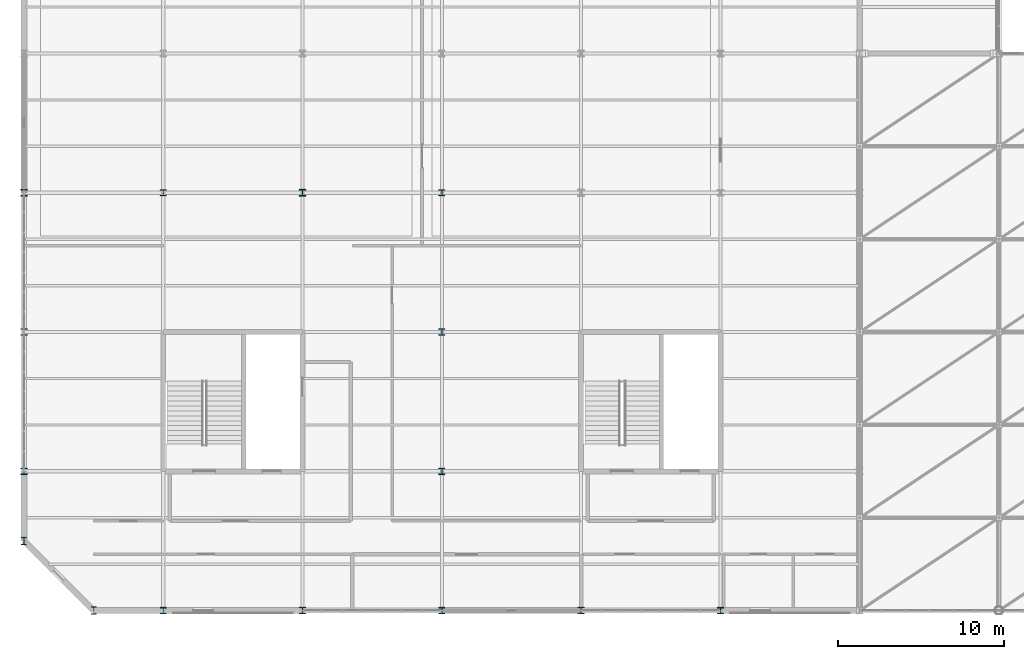
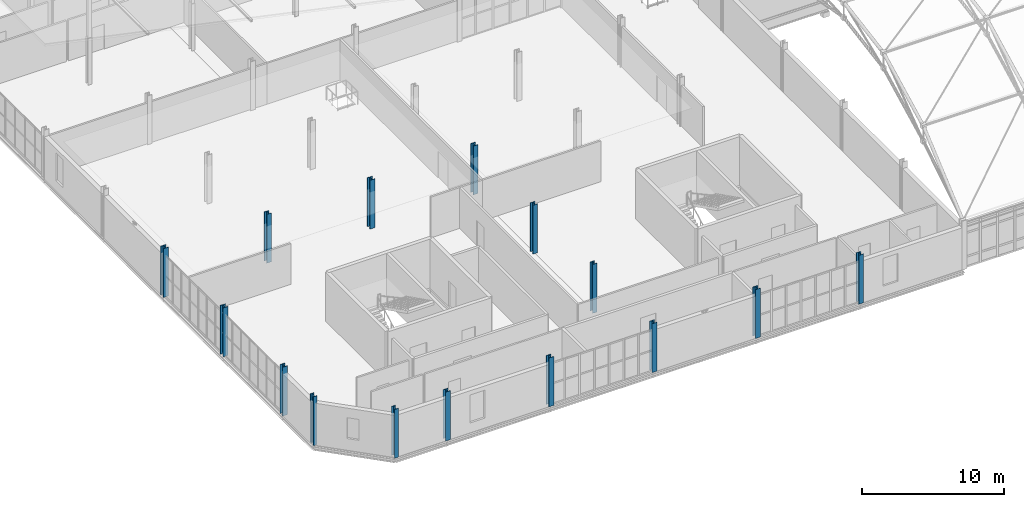
# One storey, part 1 of 184: 15 columns.
"""IFC4 building model written with IfcOpenShell, lengths in metres."""

from ifc_helpers import new_model, si_unit, direction, frame, origin, origin_2d, place, context, subcontext, project, spatial, i_section, extrude, material, material_profile, profile_set, type_object, element, save


model = new_model("IFC4")

# Units and contexts
model_context = context("Model", 3, precision=1e-05, world=origin(), true_north=direction((0.0, 1.0)))
body_context = subcontext(model_context, "Body", "Model", "MODEL_VIEW")
ifc_project = project(units=[si_unit("LENGTHUNIT", "METRE"), si_unit("AREAUNIT", "SQUARE_METRE"), si_unit("VOLUMEUNIT", "CUBIC_METRE"), si_unit("PLANEANGLEUNIT", "RADIAN"), si_unit("MASSUNIT", "GRAM", prefix="KILO")], contexts=[model_context])

# Site, building, storey
site_placement = place(None, origin())
site = spatial("IfcSite", under=ifc_project, at=site_placement, CompositionType="ELEMENT")
building_placement = place(site_placement, origin())
building = spatial("IfcBuilding", under=site, at=building_placement, Name="Qalvenar Corner Mobility Hub", CompositionType="ELEMENT")
storey_placement = place(building_placement, frame((0.0, 0.0, 9.0)))
storey = spatial("IfcBuildingStorey", under=building, at=storey_placement, Name="L02", CompositionType="ELEMENT", Elevation=9.0)

# Columns
ifc_material = material(Name="Steel S355", Category="steel")
ifc_material_profile_1 = material_profile(ifc_material, i_section(OverallWidth=0.376953125, OverallDepth=0.386962890625, WebThickness=0.0224609375, FlangeThickness=0.035888671875, FilletRadius=0.014892578125, at=origin_2d()), Name="HD360x262")
ifc_profile_set_1 = profile_set([ifc_material_profile_1], Name="Steel S355")
column_type_1 = type_object("IfcColumnType", Name="COL-HD360X262", PredefinedType="COLUMN", material=ifc_profile_set_1)
for number, where, z_axis, x_axis, name in (
    (1, (8.39990234375, 0.0, 0.0), (0.0, 0.0, 1.0), (1.0, 0.0, 0.0), "Steel Column L02-G2-0"),
    (2, (8.39990234375, 25.199951171875, 0.0), (0.0, 0.0, 1.0), (1.0, 0.0, 0.0), "Steel Column L02-G2-3"),
    (3, (25.199951171875, 0.0, 0.0), (0.0, 0.0, 1.0), (1.0, 0.0, 0.0), "Steel Column L02-G4-0"),
    (4, (25.199951171875, 8.39990234375, 0.0), (0.0, 0.0, 1.0), (1.0, 0.0, 0.0), "Steel Column L02-G4-1"),
    (5, (25.199951171875, 16.800048828125, 0.0), (0.0, 0.0, 1.0), (1.0, 0.0, 0.0), "Steel Column L02-G4-2"),
    (6, (25.199951171875, 25.199951171875, 0.0), (0.0, 0.0, 1.0), (1.0, 0.0, 0.0), "Steel Column L02-G4-3"),
    (7, (42.0, 0.0, 0.0), (0.0, 0.0, 1.0), (1.0, 0.0, 0.0), "Steel Column L02-G6-0"),
):
    element("IfcColumn", number, at=place(storey_placement, frame(where, z_axis=z_axis, x_axis=x_axis)), inside=storey, type_object=column_type_1, Name=name, PredefinedType="COLUMN", context=body_context, shape_type="SweptSolid", body=[
        extrude(i_section(OverallWidth=0.376953125, OverallDepth=0.386962890625, WebThickness=0.0224609375, FlangeThickness=0.035888671875, FilletRadius=0.014892578125, at=origin_2d()), origin(), (0.0, 0.0, 1.0), 4.199951171875),
    ])
ifc_material_profile_2 = material_profile(ifc_material, i_section(OverallWidth=0.40087890625, OverallDepth=0.39892578125, WebThickness=0.02490234375, FlangeThickness=0.03955078125, FilletRadius=0.014892578125, at=origin_2d()), Name="HD400x314")
ifc_profile_set_2 = profile_set([ifc_material_profile_2], Name="Steel S355")
column_type_2 = type_object("IfcColumnType", Name="COL-HD400X314", PredefinedType="COLUMN", material=ifc_profile_set_2)
for number, where, z_axis, x_axis, name in (
    (8, (0.0, 8.39990234375, 0.0), (0.0, 0.0, 1.0), (1.0, 0.0, 0.0), "Steel Column L02-G1-1"),
    (9, (0.0, 16.800048828125, 0.0), (0.0, 0.0, 1.0), (1.0, 0.0, 0.0), "Steel Column L02-G1-2"),
    (10, (0.0, 25.199951171875, 0.0), (0.0, 0.0, 1.0), (1.0, 0.0, 0.0), "Steel Column L02-G1-3"),
    (11, (16.800048828125, 0.0, 0.0), (0.0, 0.0, 1.0), (1.0, 0.0, 0.0), "Steel Column L02-G3-0"),
    (12, (16.800048828125, 25.199951171875, 0.0), (0.0, 0.0, 1.0), (1.0, 0.0, 0.0), "Steel Column L02-G3-3"),
    (13, (33.60009765625, 0.0, 0.0), (0.0, 0.0, 1.0), (1.0, 0.0, 0.0), "Steel Column L02-G5-0"),
):
    element("IfcColumn", number, at=place(storey_placement, frame(where, z_axis=z_axis, x_axis=x_axis)), inside=storey, type_object=column_type_2, Name=name, PredefinedType="COLUMN", context=body_context, shape_type="SweptSolid", body=[
        extrude(i_section(OverallWidth=0.40087890625, OverallDepth=0.39892578125, WebThickness=0.02490234375, FlangeThickness=0.03955078125, FilletRadius=0.014892578125, at=origin_2d()), origin(), (0.0, 0.0, 1.0), 4.199951171875),
    ])
ifc_material_profile_3 = material_profile(ifc_material, i_section(OverallWidth=0.300048828125, OverallDepth=0.449951171875, WebThickness=0.013916015625, FlangeThickness=0.02587890625, FilletRadius=0.027099609375, at=origin_2d()), Name="HEB450")
ifc_profile_set_3 = profile_set([ifc_material_profile_3], Name="Steel S355")
column_type_3 = type_object("IfcColumnType", Name="COL-HEB450", PredefinedType="COLUMN", material=ifc_profile_set_3)
for number, where, z_axis, x_axis, name in (
    (14, (4.199951171875, 0.0, 0.0), (0.0, 0.0, 1.0), (1.0, 0.0, 0.0), "Steel Column L02-SPL-S"),
    (15, (0.0, 4.199951171875, 0.0), (0.0, 0.0, 1.0), (1.0, 0.0, 0.0), "Steel Column L02-SPL-W"),
):
    element("IfcColumn", number, at=place(storey_placement, frame(where, z_axis=z_axis, x_axis=x_axis)), inside=storey, type_object=column_type_3, Name=name, PredefinedType="COLUMN", context=body_context, shape_type="SweptSolid", body=[
        extrude(i_section(OverallWidth=0.300048828125, OverallDepth=0.449951171875, WebThickness=0.013916015625, FlangeThickness=0.02587890625, FilletRadius=0.027099609375, at=origin_2d()), origin(), (0.0, 0.0, 1.0), 4.199951171875),
    ])

save(model, "model.ifc")
